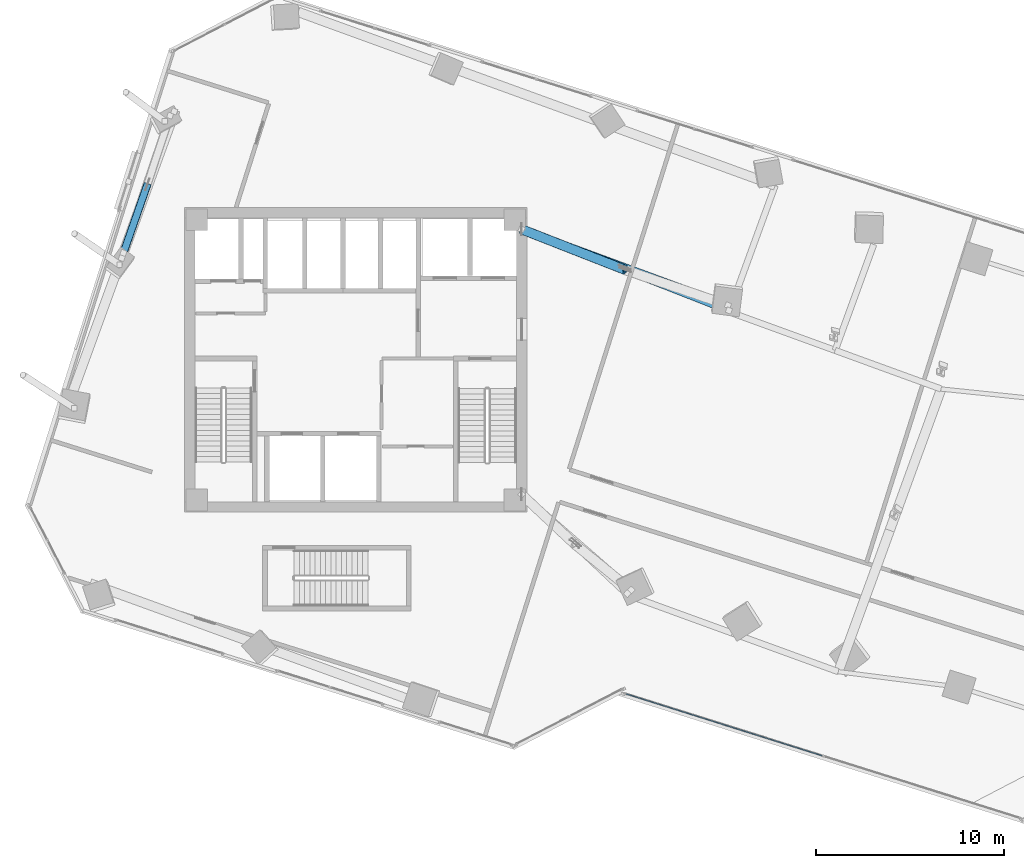
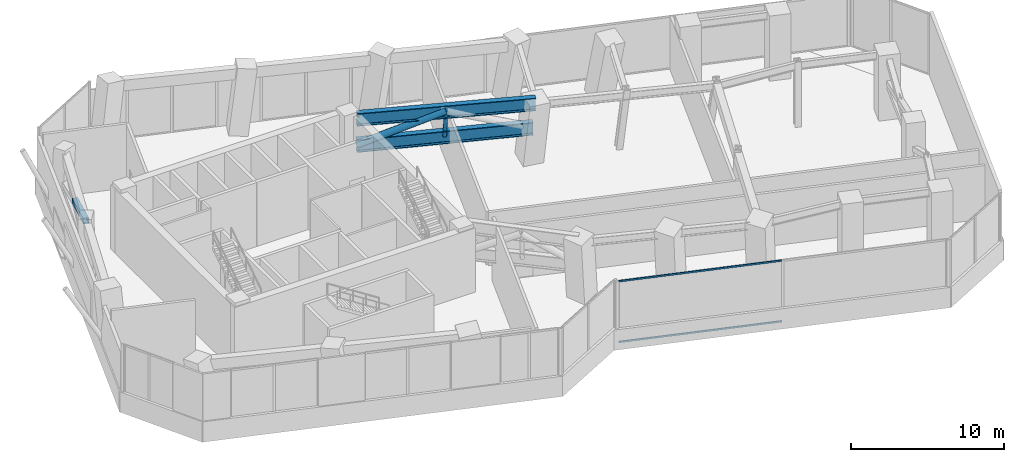
# One storey, part 7 of 29: 7 members, 1 element without a shape of its own.
"""IFC4 building model written with IfcOpenShell, lengths in metres."""

from ifc_helpers import new_model, si_unit, direction, frame, origin, origin_2d, place, context, subcontext, project, spatial, hollow_rectangle, hollow_circle, i_section, extrude, source, transform, mapped, material, material_profile, profile_set, type_object, element, aggregate, save


model = new_model("IFC4")

# Units and contexts
model_context = context("Model", 3, precision=1e-05, world=origin(), true_north=direction((0.0, 1.0)))
body_context = subcontext(model_context, "Body", "Model", "MODEL_VIEW")
ifc_project = project(units=[si_unit("LENGTHUNIT", "METRE"), si_unit("AREAUNIT", "SQUARE_METRE"), si_unit("VOLUMEUNIT", "CUBIC_METRE"), si_unit("PLANEANGLEUNIT", "RADIAN"), si_unit("MASSUNIT", "GRAM", prefix="KILO")], contexts=[model_context])

# Site, building, storey
site_placement = place(None, origin())
site = spatial("IfcSite", under=ifc_project, at=site_placement, CompositionType="ELEMENT")
building_placement = place(site_placement, origin())
building = spatial("IfcBuilding", under=site, at=building_placement, Name="Torre Montelarca", CompositionType="ELEMENT")
storey_placement = place(building_placement, frame((0.0, 0.0, 122.199951171875)))
storey = spatial("IfcBuildingStorey", under=building, at=storey_placement, Name="L27", CompositionType="ELEMENT", Elevation=122.199951171875)

# Members
ifc_material_1 = material(Name="Steel ASTM A500 Grade C", Category="steel")
ifc_material_profile_1 = material_profile(ifc_material_1, hollow_circle(Radius=0.136474609375, WallThickness=0.0126953125, at=origin_2d()), Name="HSS273.1X12.7", Category="steel")
ifc_profile_set_1 = profile_set([ifc_material_profile_1], Name="Steel ASTM A500 Grade C")
member_type_1 = type_object("IfcMemberType", Name="MB-ST-CHS273", PredefinedType="STRUT", material=ifc_profile_set_1)
shared_shape_1 = source(origin(), body_context, "Body", "SweptSolid", [
    extrude(hollow_circle(Radius=0.136474609375, WallThickness=0.0126953125, at=origin_2d()), origin(), (0.0, 0.0, 1.0), 2.104736328125),
])
member_1_placement = place(storey_placement, frame((32.309814453125, 36.9287109375, 2.75), z_axis=(0.011715227284, -0.06576766208, 0.997766189082), x_axis=(0.984502605239, 0.175369952609, 0.0)))
element("IfcMember", 1, at=member_1_placement, inside=storey, type_object=member_type_1, Name="L27 Outrigger King Strut 2", PredefinedType="STRUT", context=body_context, shape_type="MappedRepresentation", body=[
    mapped(shared_shape_1, transform((0.0, 0.0, 0.0), scale=1.0)),
])
ifc_material_2 = material(Name="Steel ASTM A992 Grade 50", Category="steel")
ifc_material_profile_2 = material_profile(ifc_material_2, i_section(OverallWidth=0.404052734375, OverallDepth=1.011962890625, WebThickness=0.025390625, FlangeThickness=0.044921875, FilletRadius=0.02490234375, at=origin_2d()), Name="W1000X483", Category="steel")
ifc_profile_set_2 = profile_set([ifc_material_profile_2], Name="Steel ASTM A992 Grade 50")
member_type_2 = type_object("IfcMemberType", Name="MB-CH-W1000", PredefinedType="CHORD", material=ifc_profile_set_2)
shared_shape_2 = source(origin(), body_context, "Body", "SweptSolid", [
    extrude(i_section(OverallWidth=0.404052734375, OverallDepth=1.011962890625, WebThickness=0.025390625, FlangeThickness=0.044921875, FilletRadius=0.02490234375, at=origin_2d()), origin(), (0.0, 0.0, 1.0), 11.699951171875),
])
member_2_placement = place(storey_placement, frame((26.820068359375, 38.949951171875, 2.75), z_axis=(0.938405803902, -0.345535160588, 0.0), x_axis=(0.345535160588, 0.938405803902, 0.0)))
element("IfcMember", 2, at=member_2_placement, inside=storey, type_object=member_type_2, Name="L27 Outrigger Bottom Chord 2", PredefinedType="CHORD", context=body_context, shape_type="MappedRepresentation", body=[
    mapped(shared_shape_2, transform((0.0, 0.0, 0.0), scale=1.0)),
])
shared_shape_3 = source(origin(), body_context, "Body", "SweptSolid", [
    extrude(i_section(OverallWidth=0.404052734375, OverallDepth=1.011962890625, WebThickness=0.025390625, FlangeThickness=0.044921875, FilletRadius=0.02490234375, at=origin_2d()), origin(), (0.0, 0.0, 1.0), 11.84423828125),
])
member_3_placement = place(storey_placement, frame((26.820068359375, 38.949951171875, 4.85009765625), z_axis=(0.931133558642, -0.364678345903, 0.0), x_axis=(0.364678345903, 0.931133558642, 0.0)))
element("IfcMember", 3, at=member_3_placement, inside=storey, type_object=member_type_2, Name="L27 Outrigger Top Chord 2", PredefinedType="CHORD", context=body_context, shape_type="MappedRepresentation", body=[
    mapped(shared_shape_3, transform((0.0, 0.0, 0.0), scale=1.0)),
])
ifc_material_profile_3 = material_profile(ifc_material_1, hollow_circle(Radius=0.25390625, WallThickness=0.015869140625, at=origin_2d()), Name="HSS508.0X15.9", Category="steel")
ifc_profile_set_3 = profile_set([ifc_material_profile_3], Name="Steel ASTM A500 Grade C")
member_type_3 = type_object("IfcMemberType", Name="MB-BR-CHS508", PredefinedType="BRACE", material=ifc_profile_set_3)
shared_shape_4 = source(origin(), body_context, "Body", "SweptSolid", [
    extrude(hollow_circle(Radius=0.25390625, WallThickness=0.015869140625, at=origin_2d()), origin(), (0.0, 0.0, 1.0), 6.283447265625),
])
member_4_placement = place(storey_placement, frame((26.820068359375, 38.949951171875, 2.75), z_axis=(0.877591207533, -0.343700882004, 0.334220550192), x_axis=(0.364671346721, 0.93113629984, 0.0)))
element("IfcMember", 4, at=member_4_placement, inside=storey, type_object=member_type_3, Name="L27 Outrigger Truss Diagonal 2A", PredefinedType="BRACE", context=body_context, shape_type="MappedRepresentation", body=[
    mapped(shared_shape_4, transform((0.0, 0.0, 0.0), scale=1.0)),
])
ifc_material_profile_4 = material_profile(ifc_material_1, hollow_rectangle(XDim=0.406494140625, YDim=0.406494140625, WallThickness=0.015869140625, InnerFilletRadius=0.015869140625, OuterFilletRadius=0.03173828125, at=origin_2d()), Name="HSS406X406X15.9", Category="steel")
ifc_profile_set_4 = profile_set([ifc_material_profile_4], Name="Steel ASTM A500 Grade C")
member_type_4 = type_object("IfcMemberType", Name="MB-BR-HSS406-EXT", PredefinedType="BRACE", material=ifc_profile_set_4)
shared_shape_5 = source(origin(), body_context, "Body", "SweptSolid", [
    extrude(hollow_rectangle(XDim=0.406494140625, YDim=0.406494140625, WallThickness=0.015869140625, InnerFilletRadius=0.015869140625, OuterFilletRadius=0.03173828125, at=origin_2d()), origin(), (0.0, 0.0, 1.0), 3.99658203125),
])
member_5_placement = place(storey_placement, frame((6.915283203125, 41.33203125, 3.800048828125), z_axis=(-0.318572810475, -0.910757820015, 0.262738572935), x_axis=(0.943920523717, -0.330172750096, 0.0)))
element("IfcMember", 5, at=member_5_placement, inside=storey, type_object=member_type_4, Name="L27 Perimeter Belt-Truss Split X-Brace Upper 1B2", PredefinedType="BRACE", context=body_context, shape_type="MappedRepresentation", body=[
    mapped(shared_shape_5, transform((0.0, 0.0, 0.0), scale=1.0)),
])

# Curtain wall, members
ifc_material_3 = material(Name="Insulated low-E laminated glass", Category="glass")
curtain_wall_type = type_object("IfcCurtainWallType", Name="CW-SYS-Z1", PredefinedType="USERDEFINED", material=ifc_material_3)
curtain_wall_placement = place(storey_placement, origin())
curtain_wall = element("IfcCurtainWall", 6, at=curtain_wall_placement, inside=storey, type_object=curtain_wall_type, Name="L27 Curtain Wall Run CW-T3-L27-E04-B1", ObjectType="UNITISED GLAZING", PredefinedType="USERDEFINED")
ifc_material_4 = material(Name="Anodised aluminium AA 6063-T6", Category="aluminium")
ifc_material_profile_5 = material_profile(ifc_material_4, hollow_rectangle(XDim=0.06494140625, YDim=0.139892578125, WallThickness=0.00390625, InnerFilletRadius=0.00390625, OuterFilletRadius=0.008056640625, at=origin_2d()), Name="ALU65X140X4", Category="aluminium")
ifc_profile_set_5 = profile_set([ifc_material_profile_5], Name="Anodised aluminium AA 6063-T6")
member_type_5 = type_object("IfcMemberType", Name="CWT-ALU140", PredefinedType="USERDEFINED", material=ifc_profile_set_5)
shared_shape_6 = source(origin(), body_context, "Body", "SweptSolid", [
    extrude(hollow_rectangle(XDim=0.06494140625, YDim=0.139892578125, WallThickness=0.00390625, InnerFilletRadius=0.00390625, OuterFilletRadius=0.008056640625, at=origin_2d()), origin(), (0.0, 0.0, 1.0), 10.948486328125),
])
member_6_placement = place(storey_placement, frame((32.369384765625, 14.239501953125, 0.032470703125), z_axis=(0.953719055971, -0.30069912251, 0.0), x_axis=(0.30069912251, 0.953719055971, 0.0)))
member_6 = element("IfcMember", 7, at=member_6_placement, type_object=member_type_5, Name="CW transom 1.1", ObjectType="TRANSOM", PredefinedType="USERDEFINED", context=body_context, shape_type="MappedRepresentation", body=[
    mapped(shared_shape_6, transform((0.0, 0.0, 0.0), scale=1.0)),
])
member_7_placement = place(storey_placement, frame((32.369384765625, 14.239501953125, 4.887451171875), z_axis=(0.953719055971, -0.30069912251, 0.0), x_axis=(0.30069912251, 0.953719055971, 0.0)))
member_7 = element("IfcMember", 8, at=member_7_placement, type_object=member_type_5, Name="CW transom 1.2", ObjectType="TRANSOM", PredefinedType="USERDEFINED", context=body_context, shape_type="MappedRepresentation", body=[
    mapped(shared_shape_6, transform((0.0, 0.0, 0.0), scale=1.0)),
])
aggregate(curtain_wall, [member_6, member_7])

save(model, "model.ifc")
